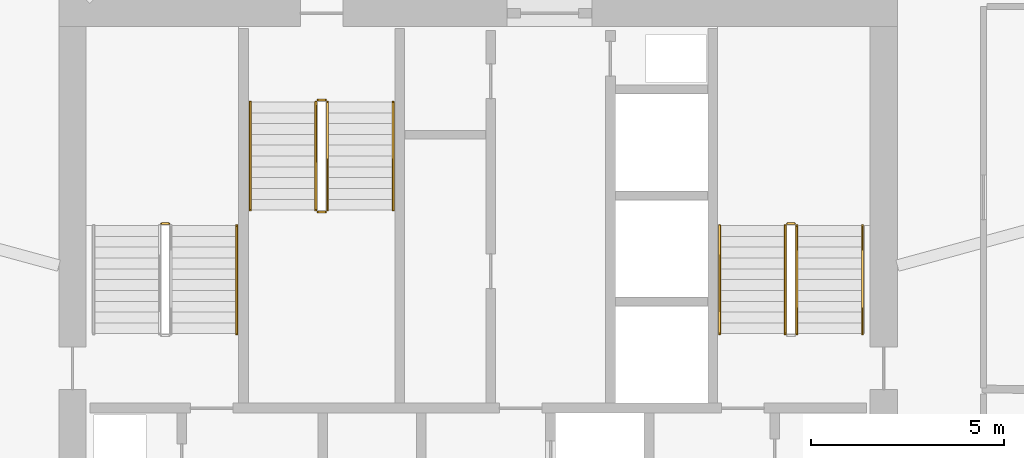
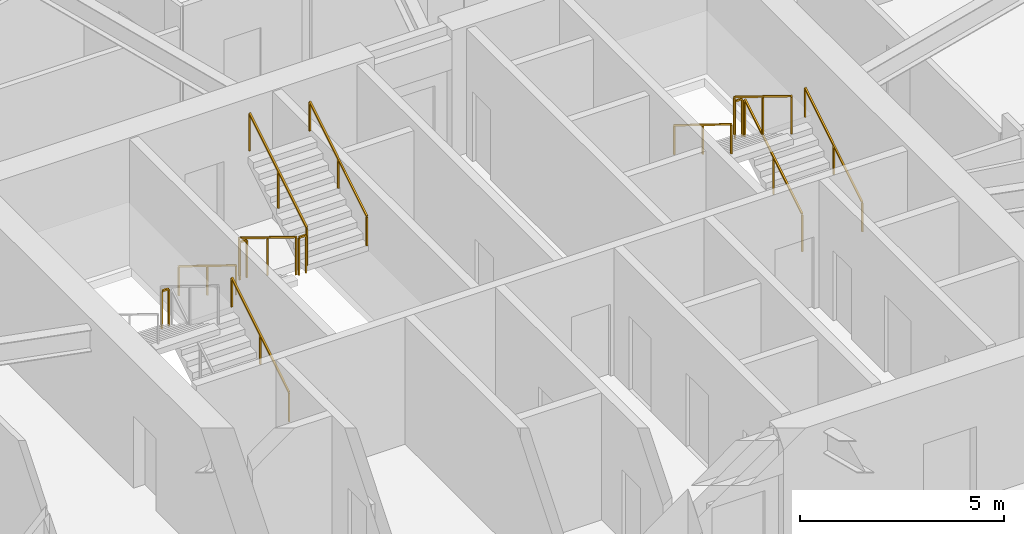
# One storey, part 30 of 30: 13 railings.
"""IFC4 building model written with IfcOpenShell, lengths in metres."""

from ifc_helpers import new_model, si_unit, direction, frame, origin, origin_2d, place, context, subcontext, project, spatial, rectangle, extrude, material, type_object, element, save


model = new_model("IFC4")

# Units and contexts
model_context = context("Model", 3, precision=1e-05, world=origin(), true_north=direction((0.0, 1.0)))
body_context = subcontext(model_context, "Body", "Model", "MODEL_VIEW")
ifc_project = project(units=[si_unit("LENGTHUNIT", "METRE"), si_unit("AREAUNIT", "SQUARE_METRE"), si_unit("VOLUMEUNIT", "CUBIC_METRE"), si_unit("PLANEANGLEUNIT", "RADIAN"), si_unit("MASSUNIT", "GRAM", prefix="KILO")], contexts=[model_context])

# Site, building, storey
site_placement = place(None, origin())
site = spatial("IfcSite", under=ifc_project, at=site_placement, CompositionType="ELEMENT")
building_placement = place(site_placement, origin())
building = spatial("IfcBuilding", under=site, at=building_placement, Name="Zuhravey Tower", CompositionType="ELEMENT")
storey_placement = place(building_placement, frame((0.0, 0.0, 177.0)))
storey = spatial("IfcBuildingStorey", under=building, at=storey_placement, Name="L44", CompositionType="ELEMENT", Elevation=177.0)

# Railings
ifc_material_1 = material(Name="Brushed stainless steel", Category="steel")
railing_type_1 = type_object("IfcRailingType", Name="Stair Wall Handrail 900", PredefinedType="HANDRAIL", material=ifc_material_1)
for number, where, name in (
    (1, (29.75, 33.199951171875, 0.172607421875), "L44 ST1 stair handrail 1"),
    (2, (45.949951171875, 33.199951171875, 0.172607421875), "L44 ST2 stair handrail 1"),
):
    element("IfcRailing", number, at=place(storey_placement, frame(where)), inside=storey, type_object=railing_type_1, Name=name, PredefinedType="HANDRAIL", context=body_context, shape_type="SweptSolid", body=[
        extrude(rectangle(XDim=0.048095703125, YDim=0.048095703125, at=origin_2d()), frame((0.0, 0.001708984375, 0.876953125), z_axis=(0.0, 0.851089632645, 0.525020415988), x_axis=(-1.0, 0.0, 0.0)), (0.0, 0.0, 1.0), 3.285888671875),
        extrude(rectangle(XDim=0.0419921875, YDim=0.0419921875, at=origin_2d()), origin(), (0.0, 0.0, 1.0), 0.849853515625),
        extrude(rectangle(XDim=0.0419921875, YDim=0.0419921875, at=origin_2d()), frame((0.0, 1.39990234375, 0.86376953125)), (0.0, 0.0, 1.0), 0.849853515625),
        extrude(rectangle(XDim=0.0419921875, YDim=0.0419921875, at=origin_2d()), frame((0.0, 2.800048828125, 1.727294921875)), (0.0, 0.0, 1.0), 0.849853515625),
    ])
for number, where, name in (
    (3, (42.25, 36.0, 2.07275390625), "L44 ST2 stair handrail 2"),
    (4, (30.10009765625, 39.199951171875, 0.172607421875), "L44 ST3 stair handrail 1"),
):
    element("IfcRailing", number, at=place(storey_placement, frame(where)), inside=storey, type_object=railing_type_1, Name=name, PredefinedType="HANDRAIL", context=body_context, shape_type="SweptSolid", body=[
        extrude(rectangle(XDim=0.048095703125, YDim=0.048095703125, at=origin_2d()), frame((0.0, -0.001708984375, 0.876953125), z_axis=(0.0, -0.851089632645, 0.525020415988), x_axis=(1.0, 0.0, 0.0)), (0.0, 0.0, 1.0), 3.285888671875),
        extrude(rectangle(XDim=0.0419921875, YDim=0.0419921875, at=origin_2d()), origin(), (0.0, 0.0, 1.0), 0.849853515625),
        extrude(rectangle(XDim=0.0419921875, YDim=0.0419921875, at=origin_2d()), frame((0.0, -1.39990234375, 0.86376953125)), (0.0, 0.0, 1.0), 0.849853515625),
        extrude(rectangle(XDim=0.0419921875, YDim=0.0419921875, at=origin_2d()), frame((0.0, -2.800048828125, 1.727294921875)), (0.0, 0.0, 1.0), 0.849853515625),
    ])
railing_1_placement = place(storey_placement, frame((33.800048828125, 36.39990234375, 2.07275390625)))
element("IfcRailing", 5, at=railing_1_placement, inside=storey, type_object=railing_type_1, Name="L44 ST3 stair handrail 2", PredefinedType="HANDRAIL", context=body_context, shape_type="SweptSolid", body=[
    extrude(rectangle(XDim=0.048095703125, YDim=0.048095703125, at=origin_2d()), frame((0.0, 0.001708984375, 0.876953125), z_axis=(0.0, 0.851089632645, 0.525020415988), x_axis=(-1.0, 0.0, 0.0)), (0.0, 0.0, 1.0), 3.285888671875),
    extrude(rectangle(XDim=0.0419921875, YDim=0.0419921875, at=origin_2d()), origin(), (0.0, 0.0, 1.0), 0.849853515625),
    extrude(rectangle(XDim=0.0419921875, YDim=0.0419921875, at=origin_2d()), frame((0.0, 1.39990234375, 0.86376953125)), (0.0, 0.0, 1.0), 0.849853515625),
    extrude(rectangle(XDim=0.0419921875, YDim=0.0419921875, at=origin_2d()), frame((0.0, 2.800048828125, 1.727294921875)), (0.0, 0.0, 1.0), 0.849853515625),
])
ifc_material_2 = material(Name="Painted tubular steel", Category="steel")
railing_type_2 = type_object("IfcRailingType", Name="Stair Well Guardrail 1150", PredefinedType="GUARDRAIL", material=ifc_material_2)
railing_2_placement = place(storey_placement, frame((28.0, 36.050048828125, 1.89990234375)))
element("IfcRailing", 6, at=railing_2_placement, inside=storey, type_object=railing_type_2, Name="L44 ST1 stair guard 2", PredefinedType="GUARDRAIL", context=body_context, shape_type="SweptSolid", body=[
    extrude(rectangle(XDim=0.048095703125, YDim=0.048095703125, at=origin_2d()), frame((-0.001953125, 0.0, 1.1259765625), z_axis=(-1.0, 0.0, 0.0), x_axis=(0.0, -1.0, 0.0)), (0.0, 0.0, 1.0), 0.196044921875),
    extrude(rectangle(XDim=0.0419921875, YDim=0.0419921875, at=origin_2d()), origin(), (0.0, 0.0, 1.0), 1.099853515625),
    extrude(rectangle(XDim=0.0419921875, YDim=0.0419921875, at=origin_2d()), frame((-0.199951171875, 0.0, 0.0)), (0.0, 0.0, 1.0), 1.099853515625),
])
railing_3_placement = place(storey_placement, frame((44.25, 33.199951171875, 0.172607421875)))
element("IfcRailing", 7, at=railing_3_placement, inside=storey, type_object=railing_type_2, Name="L44 ST2 stair guard 1", PredefinedType="GUARDRAIL", context=body_context, shape_type="SweptSolid", body=[
    extrude(rectangle(XDim=0.048095703125, YDim=0.048095703125, at=origin_2d()), frame((0.0, 0.001708984375, 1.126953125), z_axis=(0.0, 0.851089632645, 0.525020415988), x_axis=(-1.0, 0.0, 0.0)), (0.0, 0.0, 1.0), 3.285888671875),
    extrude(rectangle(XDim=0.0419921875, YDim=0.0419921875, at=origin_2d()), origin(), (0.0, 0.0, 1.0), 1.099853515625),
    extrude(rectangle(XDim=0.0419921875, YDim=0.0419921875, at=origin_2d()), frame((0.0, 1.39990234375, 0.86376953125)), (0.0, 0.0, 1.0), 1.099853515625),
    extrude(rectangle(XDim=0.0419921875, YDim=0.0419921875, at=origin_2d()), frame((0.0, 2.800048828125, 1.727294921875)), (0.0, 0.0, 1.0), 1.099853515625),
])
railing_4_placement = place(storey_placement, frame((44.199951171875, 36.050048828125, 1.89990234375)))
element("IfcRailing", 8, at=railing_4_placement, inside=storey, type_object=railing_type_2, Name="L44 ST2 stair guard 2", PredefinedType="GUARDRAIL", context=body_context, shape_type="SweptSolid", body=[
    extrude(rectangle(XDim=0.048095703125, YDim=0.048095703125, at=origin_2d()), frame((-0.001953125, 0.0, 1.1259765625), z_axis=(-1.0, 0.0, 0.0), x_axis=(0.0, -1.0, 0.0)), (0.0, 0.0, 1.0), 0.196044921875),
    extrude(rectangle(XDim=0.0419921875, YDim=0.0419921875, at=origin_2d()), origin(), (0.0, 0.0, 1.0), 1.099853515625),
    extrude(rectangle(XDim=0.0419921875, YDim=0.0419921875, at=origin_2d()), frame((-0.199951171875, 0.0, 0.0)), (0.0, 0.0, 1.0), 1.099853515625),
])
for number, where, name in (
    (9, (43.949951171875, 36.0, 2.07275390625), "L44 ST2 stair guard 3"),
    (10, (31.800048828125, 39.199951171875, 0.172607421875), "L44 ST3 stair guard 1"),
):
    element("IfcRailing", number, at=place(storey_placement, frame(where)), inside=storey, type_object=railing_type_2, Name=name, PredefinedType="GUARDRAIL", context=body_context, shape_type="SweptSolid", body=[
        extrude(rectangle(XDim=0.048095703125, YDim=0.048095703125, at=origin_2d()), frame((0.0, -0.001708984375, 1.126953125), z_axis=(0.0, -0.851089632645, 0.525020415988), x_axis=(1.0, 0.0, 0.0)), (0.0, 0.0, 1.0), 3.285888671875),
        extrude(rectangle(XDim=0.0419921875, YDim=0.0419921875, at=origin_2d()), origin(), (0.0, 0.0, 1.0), 1.099853515625),
        extrude(rectangle(XDim=0.0419921875, YDim=0.0419921875, at=origin_2d()), frame((0.0, -1.39990234375, 0.86376953125)), (0.0, 0.0, 1.0), 1.099853515625),
        extrude(rectangle(XDim=0.0419921875, YDim=0.0419921875, at=origin_2d()), frame((0.0, -2.800048828125, 1.727294921875)), (0.0, 0.0, 1.0), 1.099853515625),
    ])
railing_5_placement = place(storey_placement, frame((31.85009765625, 36.35009765625, 1.89990234375)))
element("IfcRailing", 11, at=railing_5_placement, inside=storey, type_object=railing_type_2, Name="L44 ST3 stair guard 2", PredefinedType="GUARDRAIL", context=body_context, shape_type="SweptSolid", body=[
    extrude(rectangle(XDim=0.048095703125, YDim=0.048095703125, at=origin_2d()), frame((0.001953125, 0.0, 1.1259765625), z_axis=(1.0, 0.0, 0.0), x_axis=(0.0, 1.0, 0.0)), (0.0, 0.0, 1.0), 0.196044921875),
    extrude(rectangle(XDim=0.0419921875, YDim=0.0419921875, at=origin_2d()), origin(), (0.0, 0.0, 1.0), 1.099853515625),
    extrude(rectangle(XDim=0.0419921875, YDim=0.0419921875, at=origin_2d()), frame((0.199951171875, 0.0, 0.0)), (0.0, 0.0, 1.0), 1.099853515625),
])
railing_6_placement = place(storey_placement, frame((32.10009765625, 36.39990234375, 2.07275390625)))
element("IfcRailing", 12, at=railing_6_placement, inside=storey, type_object=railing_type_2, Name="L44 ST3 stair guard 3", PredefinedType="GUARDRAIL", context=body_context, shape_type="SweptSolid", body=[
    extrude(rectangle(XDim=0.048095703125, YDim=0.048095703125, at=origin_2d()), frame((0.0, 0.001708984375, 1.126953125), z_axis=(0.0, 0.851089632645, 0.525020415988), x_axis=(-1.0, 0.0, 0.0)), (0.0, 0.0, 1.0), 3.285888671875),
    extrude(rectangle(XDim=0.0419921875, YDim=0.0419921875, at=origin_2d()), origin(), (0.0, 0.0, 1.0), 1.099853515625),
    extrude(rectangle(XDim=0.0419921875, YDim=0.0419921875, at=origin_2d()), frame((0.0, 1.39990234375, 0.86376953125)), (0.0, 0.0, 1.0), 1.099853515625),
    extrude(rectangle(XDim=0.0419921875, YDim=0.0419921875, at=origin_2d()), frame((0.0, 2.800048828125, 1.727294921875)), (0.0, 0.0, 1.0), 1.099853515625),
])
railing_7_placement = place(storey_placement, frame((31.85009765625, 39.25, 0.0)))
element("IfcRailing", 13, at=railing_7_placement, inside=storey, type_object=railing_type_2, Name="L44 ST3 stair guard 4", PredefinedType="GUARDRAIL", context=body_context, shape_type="SweptSolid", body=[
    extrude(rectangle(XDim=0.048095703125, YDim=0.048095703125, at=origin_2d()), frame((0.001953125, 0.0, 1.1259765625), z_axis=(1.0, 0.0, 0.0), x_axis=(0.0, 1.0, 0.0)), (0.0, 0.0, 1.0), 0.196044921875),
    extrude(rectangle(XDim=0.0419921875, YDim=0.0419921875, at=origin_2d()), origin(), (0.0, 0.0, 1.0), 1.099853515625),
    extrude(rectangle(XDim=0.0419921875, YDim=0.0419921875, at=origin_2d()), frame((0.199951171875, 0.0, 0.0)), (0.0, 0.0, 1.0), 1.099853515625),
])

save(model, "model.ifc")
